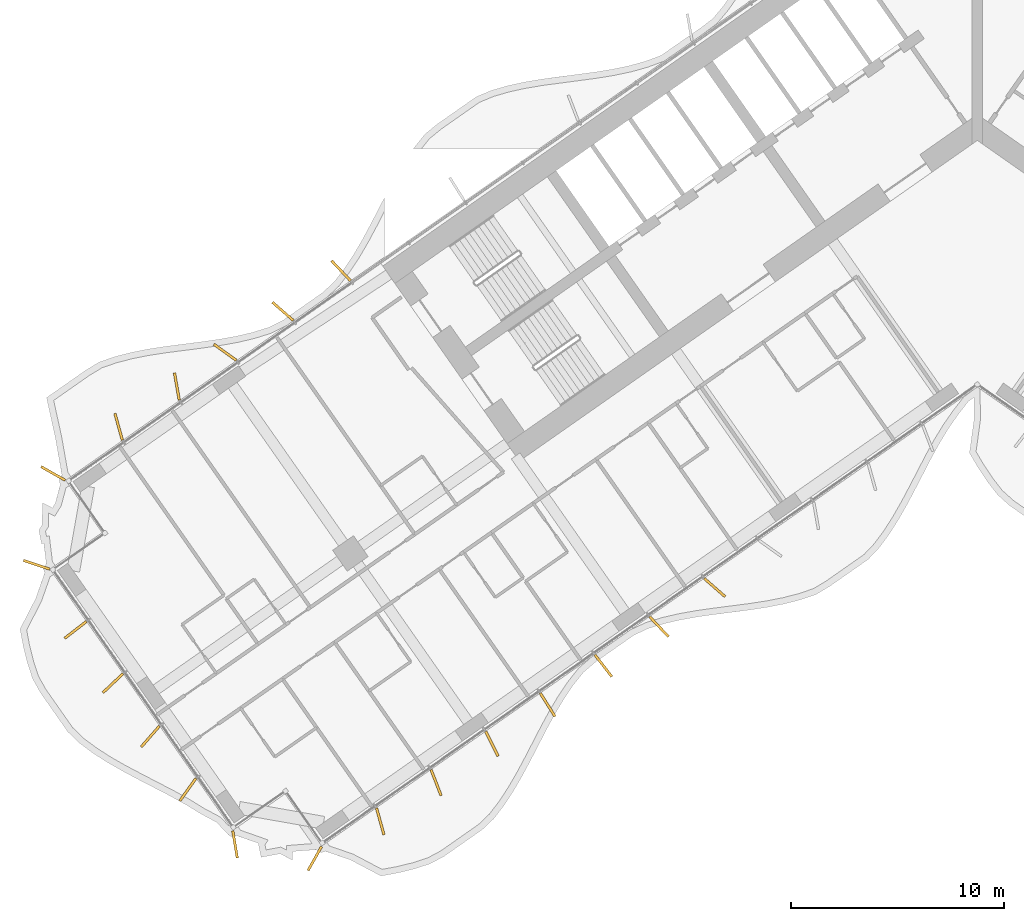
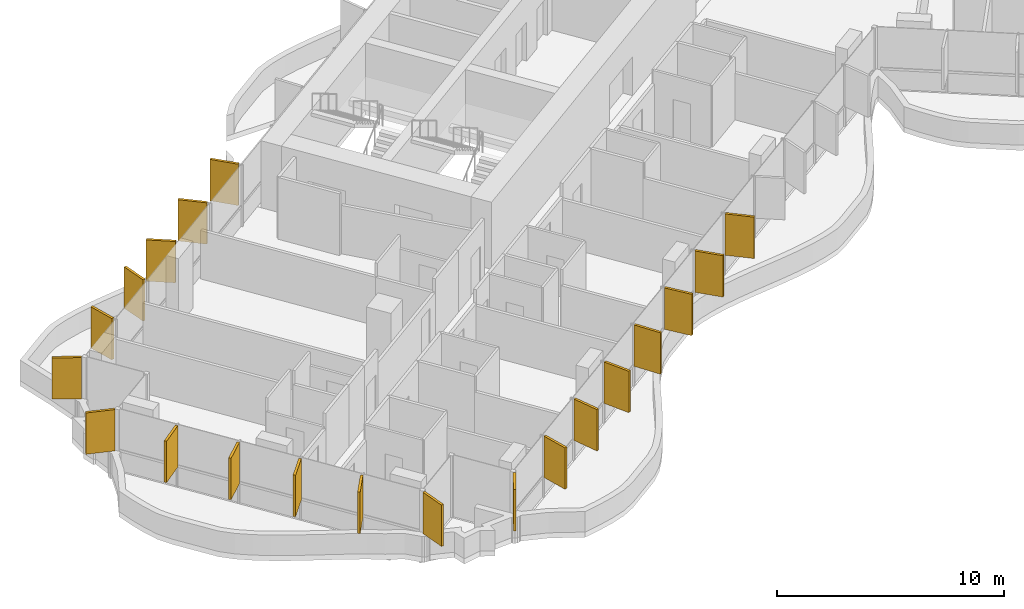
# One storey, part 20 of 25: 20 shading devices.
"""IFC4 building model written with IfcOpenShell, lengths in metres."""

import ifcopenshell
import ifcopenshell.guid

model = None  # the IFC model being written
_history = None  # IfcOwnerHistory: only IFC2X3 demands one
_inside = {}  # id of a spatial element -> (the spatial element, [elements in it])
_under = {}  # id of a project, library or spatial element -> (it, [spatial elements below it])
_declared = {}  # id of a project -> (the project, [libraries it declares])
_typed = {}  # id of a type object -> (the type object, [elements of that type])
_made_of = {}  # id of a material, layer set ... -> (it, [elements and type objects made of it])


def new_model(schema):
    """Start an empty IFC model of exactly this schema.

    Asked for "IFC4X3", IfcOpenShell would pick the latest addendum, in which some entities
    have other attributes; the version numbers below select the first issue.
    IFC2X3 requires an IfcOwnerHistory on every rooted entity: one is made here for all.
    """
    global model, _history
    if schema == "IFC4X3":
        model = ifcopenshell.file(schema_version=(4, 3, 0, 0))
    else:
        model = ifcopenshell.file(schema=schema)
    _inside.clear()
    _under.clear()
    _declared.clear()
    _typed.clear()
    _made_of.clear()
    _history = None
    if model.schema == "IFC2X3":
        org = make("IfcOrganization", Name="unknown")
        user = make(
            "IfcPersonAndOrganization",
            ThePerson=make("IfcPerson", FamilyName="unknown"),
            TheOrganization=org,
        )
        app = make(
            "IfcApplication",
            ApplicationDeveloper=org,
            Version="unknown",
            ApplicationFullName="unknown",
            ApplicationIdentifier="unknown",
        )
        _history = make(
            "IfcOwnerHistory",
            OwningUser=user,
            OwningApplication=app,
            ChangeAction="ADDED",
            CreationDate=0,
        )
    return model


def make(cls, **values):
    """One entity of the class cls with the attributes given. An attribute that is None is left unset."""
    return model.create_entity(
        cls, **{name: value for name, value in values.items() if value is not None}
    )


def rooted(cls, **values):
    """An entity with a GlobalId (a new one), such as an element, a storey or a relation."""
    return make(cls, GlobalId=ifcopenshell.guid.new(), OwnerHistory=_history, **values)


def si_unit(unit_type, name, prefix=None):
    """IfcSIUnit, for example si_unit("LENGTHUNIT", "METRE", prefix="MILLI")."""
    return make("IfcSIUnit", UnitType=unit_type, Prefix=prefix, Name=name)


def assignment(units):
    """IfcUnitAssignment: the units of a project."""
    return None if units is None else make("IfcUnitAssignment", Units=units)


def point(xyz):
    """IfcCartesianPoint."""
    return None if xyz is None else make("IfcCartesianPoint", Coordinates=xyz)


def direction(xyz):
    """IfcDirection."""
    return None if xyz is None else make("IfcDirection", DirectionRatios=xyz)


def frame(location, z_axis=None, x_axis=None):
    """IfcAxis2Placement3D, a coordinate frame: its origin and axes. An axis left out is left unset."""
    return make(
        "IfcAxis2Placement3D",
        Location=point(location),
        Axis=direction(z_axis),
        RefDirection=direction(x_axis),
    )


def frame_2d(location, x_axis=None):
    """IfcAxis2Placement2D, a coordinate frame in the plane: its origin and x axis."""
    return make(
        "IfcAxis2Placement2D", Location=point(location), RefDirection=direction(x_axis)
    )


def origin():
    """The frame at (0, 0, 0) with its axes left unset."""
    return frame((0.0, 0.0, 0.0))


def origin_2d():
    """The frame at (0, 0) in the plane with its x axis left unset."""
    return frame_2d((0.0, 0.0))


def place(relative_to, where):
    """IfcLocalPlacement: puts the frame where relative to a parent placement (None: the world)."""
    return make(
        "IfcLocalPlacement", PlacementRelTo=relative_to, RelativePlacement=where
    )


def context(
    kind, dimensions, precision=None, world=None, true_north=None, identifier=None
):
    """IfcGeometricRepresentationContext, for example the 3D "Model" context."""
    return make(
        "IfcGeometricRepresentationContext",
        ContextIdentifier=identifier,
        ContextType=kind,
        CoordinateSpaceDimension=dimensions,
        Precision=precision,
        WorldCoordinateSystem=world,
        TrueNorth=true_north,
    )


def subcontext(parent, identifier, kind, view, scale=None):
    """IfcGeometricRepresentationSubContext, for example "Body" below "Model"."""
    return make(
        "IfcGeometricRepresentationSubContext",
        ContextIdentifier=identifier,
        ContextType=kind,
        ParentContext=parent,
        TargetScale=scale,
        TargetView=view,
    )


def project(units=None, contexts=None):
    """IfcProject with its units and contexts."""
    return rooted(
        "IfcProject",
        Name="project",
        RepresentationContexts=contexts,
        UnitsInContext=assignment(units),
    )


def spatial(cls, under=None, at=None, **own):
    """A site, building, storey or space (cls), placed at a placement, below another one or the project."""
    s = rooted(cls, ObjectPlacement=at, **own)
    if under is not None:
        _under.setdefault(under.id(), (under, []))[1].append(s)
    return s


def profile(cls, at=None, kind="AREA", **sizes):
    """A parametric profile (cls). Its sizes go by their IFC names, for example OverallWidth=200.0."""
    return make(cls, ProfileType=kind, Position=at, **sizes)


def rectangle(**sizes):
    """IfcRectangleProfileDef."""
    return profile("IfcRectangleProfileDef", **sizes)


def extrude(swept, where, along, depth):
    """IfcExtrudedAreaSolid: the profile swept, set in the frame where, extruded along a direction by depth."""
    return make(
        "IfcExtrudedAreaSolid",
        SweptArea=swept,
        Position=where,
        ExtrudedDirection=direction(along),
        Depth=depth,
    )


def shape(context_of_items, identifier, shape_type, items):
    """IfcShapeRepresentation: the items that make up one representation, for example the "Body"."""
    return make(
        "IfcShapeRepresentation",
        ContextOfItems=context_of_items,
        RepresentationIdentifier=identifier,
        RepresentationType=shape_type,
        Items=items,
    )


def material(Name=None, Category=None):
    """IfcMaterial."""
    return make("IfcMaterial", Name=Name, Category=Category)


def layer(
    of_material, thickness, ventilated=None, Name=None, Category=None, Priority=None
):
    """IfcMaterialLayer: one layer of a wall or slab, of a material (None: an air gap)."""
    return make(
        "IfcMaterialLayer",
        Material=of_material,
        LayerThickness=thickness,
        IsVentilated=ventilated,
        Name=Name,
        Category=Category,
        Priority=Priority,
    )


def layer_set(layers, Name=None):
    """IfcMaterialLayerSet."""
    return make("IfcMaterialLayerSet", MaterialLayers=layers, LayerSetName=Name)


def made_of(thing, what):
    """Note that an element or type object is made of a material, layer set ...; save() writes the relation."""
    if what is not None:
        _made_of.setdefault(what.id(), (what, []))[1].append(thing)
    return thing


def type_object(cls, material=None, **own):
    """A type object (cls), such as IfcWallType, which elements share."""
    return made_of(rooted(cls, **own), material)


def element(
    cls,
    number,
    at=None,
    inside=None,
    cuts=None,
    type_object=None,
    material=None,
    context=None,
    identifier="Body",
    shape_type=None,
    held_by="IfcProductDefinitionShape",
    body=None,
    shapes=None,
    **own,
):
    """One element of the class cls, such as IfcWall. Its Tag is "e" and its number.

    at: its placement. inside: the storey or other place that contains it. cuts: it is an
    opening in that element (IfcRelVoidsElement). A single representation is given by context,
    identifier, shape_type and body (its items); several are given by shapes. held_by: the class
    of the entity that holds the representations. save() writes the other relations.
    """
    e = rooted(cls, Tag="e%d" % number, ObjectPlacement=at, **own)
    if body is not None:
        shapes = [shape(context, identifier, shape_type, body)]
    if shapes is not None:
        e.Representation = make(held_by, Representations=shapes)
    if inside is not None:
        _inside.setdefault(inside.id(), (inside, []))[1].append(e)
    if cuts is not None:
        rooted(
            "IfcRelVoidsElement", RelatingBuildingElement=cuts, RelatedOpeningElement=e
        )
    if type_object is not None:
        _typed.setdefault(type_object.id(), (type_object, []))[1].append(e)
    return made_of(e, material)


def aggregate(whole, parts):
    """IfcRelAggregates: a whole, such as a stair, and the parts it consists of."""
    return rooted("IfcRelAggregates", RelatingObject=whole, RelatedObjects=parts)


def save(model, path):
    """Write the relations noted so far, then the file.

    IfcRelAggregates (storeys below a building ...), IfcRelContainedInSpatialStructure (elements
    in a storey), IfcRelDefinesByType, IfcRelAssociatesMaterial and IfcRelDeclares: one each for
    every whole, place, type object, material and project.
    """
    for whole, parts in _under.values():
        aggregate(whole, parts)
    for where, things in _inside.values():
        rooted(
            "IfcRelContainedInSpatialStructure",
            RelatedElements=things,
            RelatingStructure=where,
        )
    for kind, things in _typed.values():
        rooted("IfcRelDefinesByType", RelatedObjects=things, RelatingType=kind)
    for what, things in _made_of.values():
        rooted("IfcRelAssociatesMaterial", RelatedObjects=things, RelatingMaterial=what)
    for by, libraries in _declared.values():
        rooted("IfcRelDeclares", RelatingContext=by, RelatedDefinitions=libraries)
    model.write(path)


model = new_model("IFC4")

# Units and contexts
model_context = context("Model", 3, precision=1e-05, world=origin(), true_north=direction((0.0, 1.0)))
body_context = subcontext(model_context, "Body", "Model", "MODEL_VIEW")
ifc_project = project(units=[si_unit("LENGTHUNIT", "METRE"), si_unit("AREAUNIT", "SQUARE_METRE"), si_unit("VOLUMEUNIT", "CUBIC_METRE"), si_unit("PLANEANGLEUNIT", "RADIAN"), si_unit("MASSUNIT", "GRAM", prefix="KILO")], contexts=[model_context])

# Site, building, storey
site_placement = place(None, origin())
site = spatial("IfcSite", under=ifc_project, at=site_placement, CompositionType="ELEMENT")
building_placement = place(site_placement, origin())
building = spatial("IfcBuilding", under=site, at=building_placement, Name="Tel Ilan Convention Tower", CompositionType="ELEMENT")
storey_placement = place(building_placement, frame((0.0, 0.0, 61.699951171875)))
storey = spatial("IfcBuildingStorey", under=building, at=storey_placement, Name="L10", CompositionType="ELEMENT", Elevation=61.699951171875)

# Shading devices
ifc_material = material(Name="Aluminium, bronze anodised", Category="aluminium")
ifc_layer = layer(ifc_material, 0.1201171875)
ifc_layer_set = layer_set([ifc_layer], Name="FIN BRONZE 1300x120")
shading_device_type = type_object("IfcShadingDeviceType", Name="FIN BRONZE 1300x120", PredefinedType="USERDEFINED", material=ifc_layer_set)
for number, where, z_axis, x_axis, name in (
    (1, (-29.933837890625, -7.3466796875, 1.10009765625), (0.0, 0.0, 1.0), (-0.686241637865, 0.727373641577, 0.0), "FIN"),
    (2, (-32.660888671875, -9.26416015625, 1.10009765625), (0.0, 0.0, 1.0), (-0.753435896329, 0.657521368568, 0.0), "FIN"),
    (3, (-35.383544921875, -11.185791015625, 1.10009765625), (0.0, 0.0, 1.0), (-0.813552070258, 0.581492071294, 0.0), "FIN"),
    (4, (-37.65087890625, -12.7958984375, 1.10009765625), (0.0, 0.0, 1.0), (-0.173648177667, 0.984807753012, 0.0), "FIN"),
    (5, (-40.3896484375, -14.69091796875, 1.10009765625), (0.0, 0.0, 1.0), (-0.268172612768, 0.963370878614, 0.0), "FIN"),
    (6, (-43.4697265625, -16.886962890625, 1.10009765625), (0.0, 0.0, 1.0), (-0.870832754082, 0.491579408049, 0.0), "FIN"),
    (7, (-44.24609375, -21.18212890625, 1.10009765625), (0.0, 0.0, 1.0), (-0.949242643575, 0.314544756146, 0.0), "FIN"),
    (8, (-42.416015625, -24.2451171875, 1.10009765625), (0.0, 0.0, 1.0), (-0.790392669516, -0.612600545196, 0.0), "FIN"),
    (9, (-40.6591796875, -26.753662109375, 1.10009765625), (0.0, 0.0, 1.0), (-0.727373641577, -0.686241637865, 0.0), "FIN"),
    (10, (-38.897705078125, -29.258056640625, 1.10009765625), (0.0, 0.0, 1.0), (-0.657521368568, -0.753435896329, 0.0), "FIN"),
    (11, (-37.132080078125, -31.7578125, 1.10009765625), (0.0, 0.0, 1.0), (-0.581492071294, -0.813552070258, 0.0), "FIN"),
    (12, (-34.914306640625, -34.335693359375, 1.10009765625), (0.0, 0.0, 1.0), (0.16409119891, -0.986445172547, 0.0), "FIN"),
    (13, (-31.162109375, -34.997314453125, 1.10009765625), (0.0, 0.0, 1.0), (-0.491579408049, -0.870832754082, 0.0), "FIN"),
    (14, (-28.083984375, -33.254638671875, 1.10009765625), (0.0, 0.0, 1.0), (0.268172612768, -0.963370878614, 0.0), "FIN"),
    (15, (-25.457275390625, -31.430908203125, 1.10009765625), (0.0, 0.0, 1.0), (0.360177724803, -0.932883704733, 0.0), "FIN"),
    (16, (-22.8330078125, -29.60107421875, 1.10009765625), (0.0, 0.0, 1.0), (0.448799180206, -0.893632640321, 0.0), "FIN"),
    (17, (-20.211669921875, -27.765869140625, 1.10009765625), (0.0, 0.0, 1.0), (0.533204432798, -0.845986425922, 0.0), "FIN"),
    (18, (-17.590087890625, -25.930419921875, 1.10009765625), (0.0, 0.0, 1.0), (0.612600545196, -0.790392669516, 0.0), "FIN"),
    (19, (-14.968994140625, -24.094482421875, 1.10009765625), (0.0, 0.0, 1.0), (0.686241637865, -0.727373641577, 0.0), "FIN"),
    (20, (-12.35205078125, -22.25439453125, 1.10009765625), (0.0, 0.0, 1.0), (0.753435896329, -0.657521368568, 0.0), "FIN"),
):
    element("IfcShadingDevice", number, at=place(storey_placement, frame(where, z_axis=z_axis, x_axis=x_axis)), inside=storey, type_object=shading_device_type, Name=name, ObjectType="FIN", PredefinedType="USERDEFINED", context=body_context, shape_type="SweptSolid", body=[
        extrude(rectangle(XDim=1.300048828125, YDim=0.1201171875, at=origin_2d()), origin(), (0.0, 0.0, 1.0), 2.219970703125),
    ])

save(model, "model.ifc")
